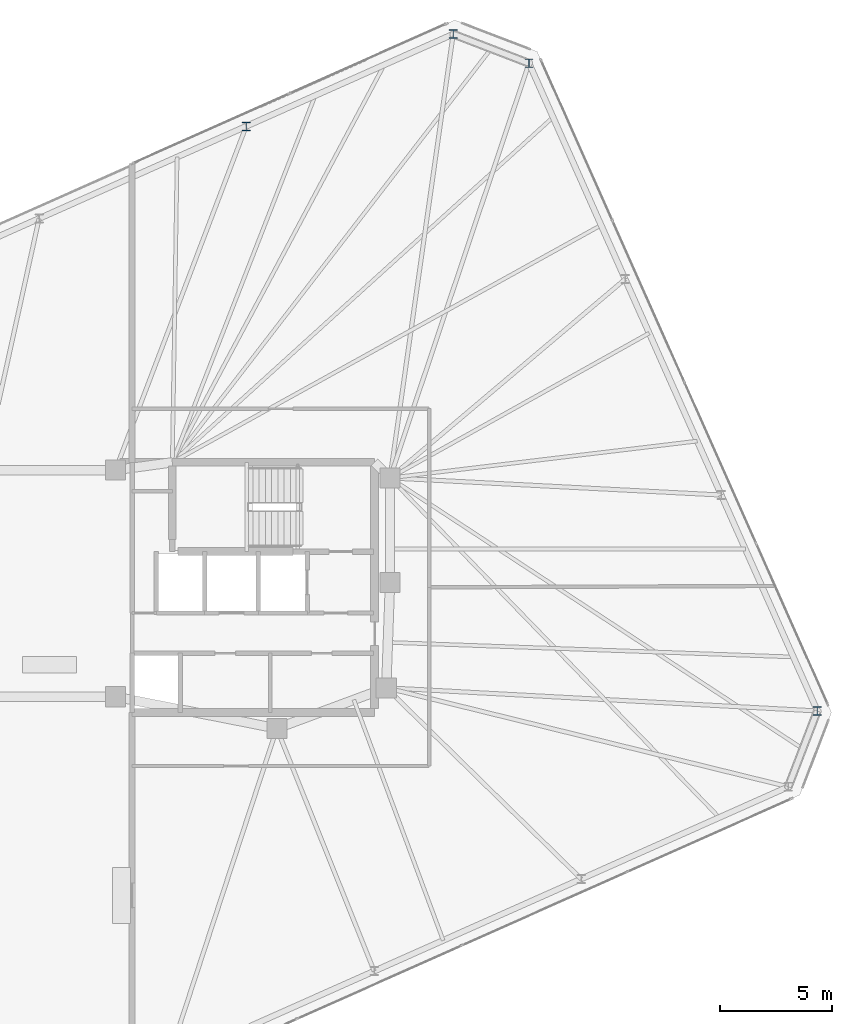
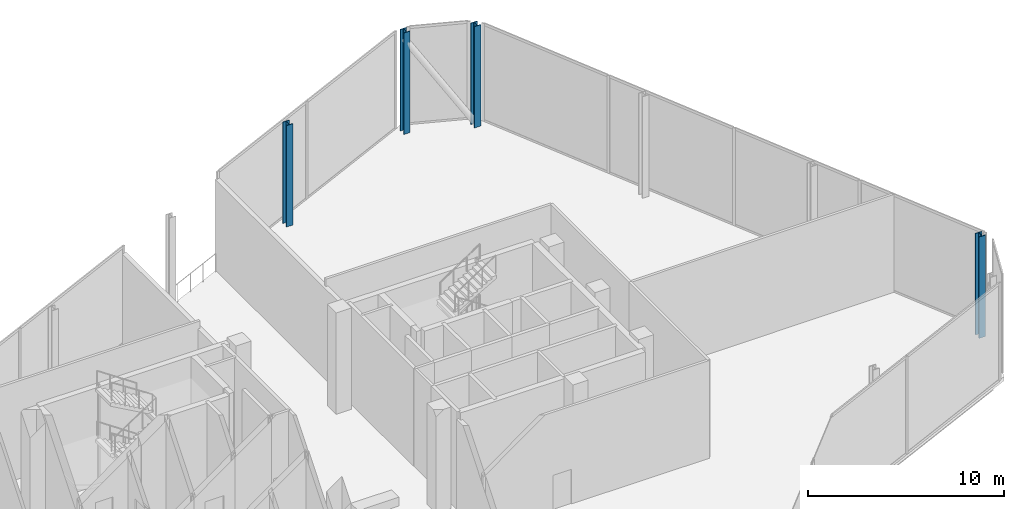
# One storey, part 5 of 16: 4 columns.
"""IFC4 building model written with IfcOpenShell, lengths in metres."""

from ifc_helpers import new_model, si_unit, direction, frame, origin, origin_2d, place, context, subcontext, project, spatial, i_section, extrude, material, material_profile, profile_set, type_object, element, save


model = new_model("IFC4")

# Units and contexts
model_context = context("Model", 3, precision=1e-05, world=origin(), true_north=direction((0.0, 1.0)))
body_context = subcontext(model_context, "Body", "Model", "MODEL_VIEW")
ifc_project = project(units=[si_unit("LENGTHUNIT", "METRE"), si_unit("AREAUNIT", "SQUARE_METRE"), si_unit("VOLUMEUNIT", "CUBIC_METRE"), si_unit("PLANEANGLEUNIT", "RADIAN"), si_unit("MASSUNIT", "GRAM", prefix="KILO")], contexts=[model_context])

# Site, building, storey
site_placement = place(None, origin())
site = spatial("IfcSite", under=ifc_project, at=site_placement, CompositionType="ELEMENT")
building_placement = place(site_placement, origin())
building = spatial("IfcBuilding", under=site, at=building_placement, Name="Menara Jurai Vektor", CompositionType="ELEMENT")
storey_placement = place(building_placement, frame((0.0, 0.0, 275.60009765625)))
storey = spatial("IfcBuildingStorey", under=building, at=storey_placement, Name="L74", CompositionType="ELEMENT", Elevation=275.60009765625)

# Columns
ifc_material = material(Name="Steel S460", Category="steel")
ifc_material_profile = material_profile(ifc_material, i_section(OverallWidth=0.376953125, OverallDepth=0.39892578125, WebThickness=0.02490234375, FlangeThickness=0.0400390625, FilletRadius=0.014892578125, at=origin_2d()), Name="HD 360x314")
ifc_profile_set = profile_set([ifc_material_profile], Name="Steel S460")
column_type = type_object("IfcColumnType", Name="STR-COL-PORTAL", PredefinedType="COLUMN", material=ifc_profile_set)
for number, where, z_axis, x_axis, name in (
    (1, (34.3916015625, -5.536865234375, 0.0), (0.0, 0.0, 1.0), (1.0, 0.0, 0.0), "Exoskeleton Column BLK5-E1 L74"),
    (2, (21.4755859375, 23.473388671875, 0.0), (0.0, 0.0, 1.0), (1.0, 0.0, 0.0), "Exoskeleton Column BLK5-E4 L74"),
    (3, (18.07958984375, 24.777099609375, 0.0), (0.0, 0.0, 1.0), (1.0, 0.0, 0.0), "Exoskeleton Column BLK5-N1 L74"),
    (4, (8.805908203125, 20.648193359375, 0.0), (0.0, 0.0, 1.0), (1.0, 0.0, 0.0), "Exoskeleton Column BLK5-N2 L74"),
):
    element("IfcColumn", number, at=place(storey_placement, frame(where, z_axis=z_axis, x_axis=x_axis)), inside=storey, type_object=column_type, Name=name, PredefinedType="COLUMN", context=body_context, shape_type="SweptSolid", body=[
        extrude(i_section(OverallWidth=0.376953125, OverallDepth=0.39892578125, WebThickness=0.02490234375, FlangeThickness=0.0400390625, FilletRadius=0.014892578125, at=origin_2d()), origin(), (0.0, 0.0, 1.0), 6.2998046875),
    ])

save(model, "model.ifc")
